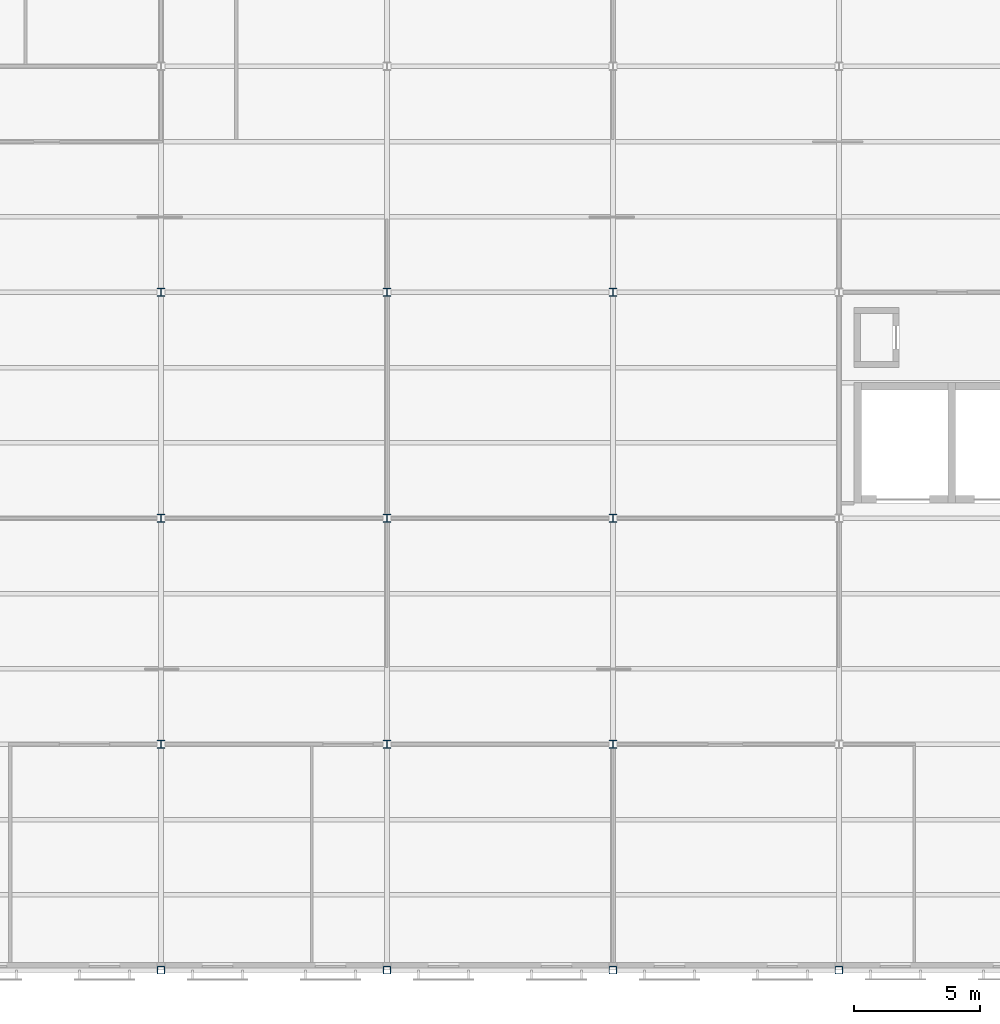
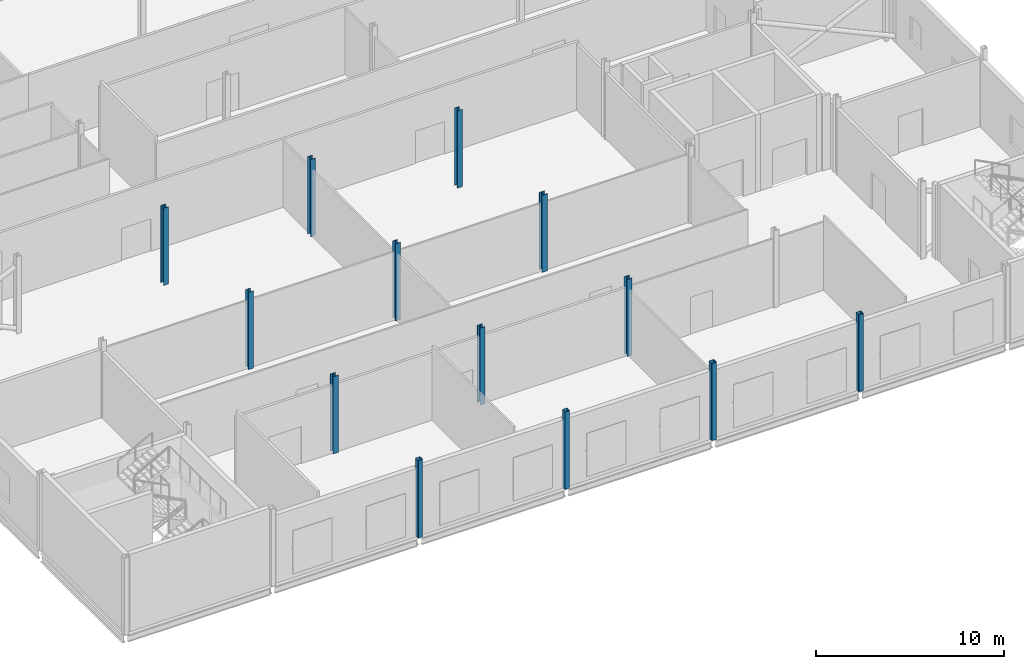
# One storey, part 4 of 112: 13 columns.
"""IFC4 building model written with IfcOpenShell, lengths in metres."""

from ifc_helpers import new_model, si_unit, direction, frame, origin, origin_2d, place, context, subcontext, project, spatial, hollow_rectangle, i_section, extrude, material, material_profile, profile_set, type_object, element, save


model = new_model("IFC4")

# Units and contexts
model_context = context("Model", 3, precision=1e-05, world=origin(), true_north=direction((0.0, 1.0)))
body_context = subcontext(model_context, "Body", "Model", "MODEL_VIEW")
ifc_project = project(units=[si_unit("LENGTHUNIT", "METRE"), si_unit("AREAUNIT", "SQUARE_METRE"), si_unit("VOLUMEUNIT", "CUBIC_METRE"), si_unit("PLANEANGLEUNIT", "RADIAN"), si_unit("MASSUNIT", "GRAM", prefix="KILO")], contexts=[model_context])

# Site, building, storey
site_placement = place(None, origin())
site = spatial("IfcSite", under=ifc_project, at=site_placement, CompositionType="ELEMENT")
building_placement = place(site_placement, origin())
building = spatial("IfcBuilding", under=site, at=building_placement, Name="Shorebreak Coast Museum", CompositionType="ELEMENT")
storey_placement = place(building_placement, frame((0.0, 0.0, 6.0)))
storey = spatial("IfcBuildingStorey", under=building, at=storey_placement, Name="L01", CompositionType="ELEMENT", Elevation=6.0)

# Columns
ifc_material_1 = material(Name="Steel Grade C450L0", Category="steel")
ifc_material_profile_1 = material_profile(ifc_material_1, hollow_rectangle(XDim=0.300048828125, YDim=0.300048828125, WallThickness=0.012451171875, InnerFilletRadius=0.018798828125, OuterFilletRadius=0.03125, at=origin_2d()), Name="300x300x12.5 SHS")
ifc_profile_set_1 = profile_set([ifc_material_profile_1], Name="Steel Grade C450L0")
column_type_1 = type_object("IfcColumnType", Name="Column 300x300x12.5 SHS", PredefinedType="COLUMN", material=ifc_profile_set_1)
for number, where, z_axis, x_axis, name in (
    (1, (72.0, 0.0, 0.0), (0.0, 0.0, 1.0), (1.0, 0.0, 0.0), "Column L01 9A"),
    (2, (81.0, 0.0, 0.0), (0.0, 0.0, 1.0), (1.0, 0.0, 0.0), "Column L01 10A"),
    (3, (90.0, 0.0, 0.0), (0.0, 0.0, 1.0), (1.0, 0.0, 0.0), "Column L01 11A"),
    (4, (99.0, 0.0, 0.0), (0.0, 0.0, 1.0), (1.0, 0.0, 0.0), "Column L01 12A"),
):
    element("IfcColumn", number, at=place(storey_placement, frame(where, z_axis=z_axis, x_axis=x_axis)), inside=storey, type_object=column_type_1, Name=name, PredefinedType="COLUMN", context=body_context, shape_type="SweptSolid", body=[
        extrude(hollow_rectangle(XDim=0.300048828125, YDim=0.300048828125, WallThickness=0.012451171875, InnerFilletRadius=0.018798828125, OuterFilletRadius=0.03125, at=origin_2d()), origin(), (0.0, 0.0, 1.0), 5.0),
    ])
ifc_material_2 = material(Name="Steel Grade 300", Category="steel")
ifc_material_profile_2 = material_profile(ifc_material_2, i_section(OverallWidth=0.30908203125, OverallDepth=0.320556640625, WebThickness=0.013916015625, FlangeThickness=0.021728515625, FilletRadius=0.0166015625, at=origin_2d()), Name="310UC137")
ifc_profile_set_2 = profile_set([ifc_material_profile_2], Name="Steel Grade 300")
column_type_2 = type_object("IfcColumnType", Name="Column 310UC137", PredefinedType="COLUMN", material=ifc_profile_set_2)
for number, where, z_axis, x_axis, name in (
    (5, (72.0, 9.0, 0.0), (0.0, 0.0, 1.0), (1.0, 0.0, 0.0), "Column L01 9B"),
    (6, (81.0, 9.0, 0.0), (0.0, 0.0, 1.0), (1.0, 0.0, 0.0), "Column L01 10B"),
    (7, (90.0, 9.0, 0.0), (0.0, 0.0, 1.0), (1.0, 0.0, 0.0), "Column L01 11B"),
    (8, (72.0, 18.0, 0.0), (0.0, 0.0, 1.0), (1.0, 0.0, 0.0), "Column L01 9C"),
    (9, (81.0, 18.0, 0.0), (0.0, 0.0, 1.0), (1.0, 0.0, 0.0), "Column L01 10C"),
    (10, (90.0, 18.0, 0.0), (0.0, 0.0, 1.0), (1.0, 0.0, 0.0), "Column L01 11C"),
    (11, (72.0, 27.0, 0.0), (0.0, 0.0, 1.0), (1.0, 0.0, 0.0), "Column L01 9D"),
    (12, (81.0, 27.0, 0.0), (0.0, 0.0, 1.0), (1.0, 0.0, 0.0), "Column L01 10D"),
    (13, (90.0, 27.0, 0.0), (0.0, 0.0, 1.0), (1.0, 0.0, 0.0), "Column L01 11D"),
):
    element("IfcColumn", number, at=place(storey_placement, frame(where, z_axis=z_axis, x_axis=x_axis)), inside=storey, type_object=column_type_2, Name=name, PredefinedType="COLUMN", context=body_context, shape_type="SweptSolid", body=[
        extrude(i_section(OverallWidth=0.30908203125, OverallDepth=0.320556640625, WebThickness=0.013916015625, FlangeThickness=0.021728515625, FilletRadius=0.0166015625, at=origin_2d()), origin(), (0.0, 0.0, 1.0), 5.0),
    ])

save(model, "model.ifc")
